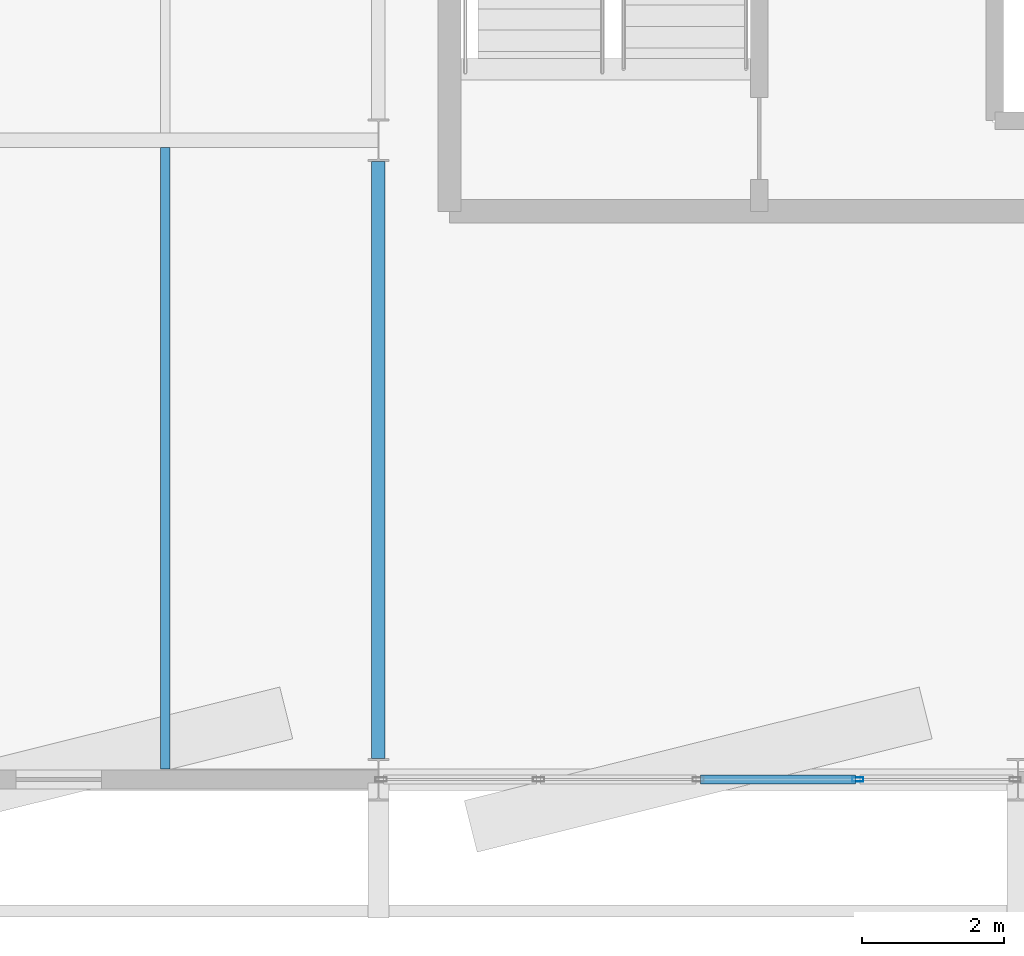
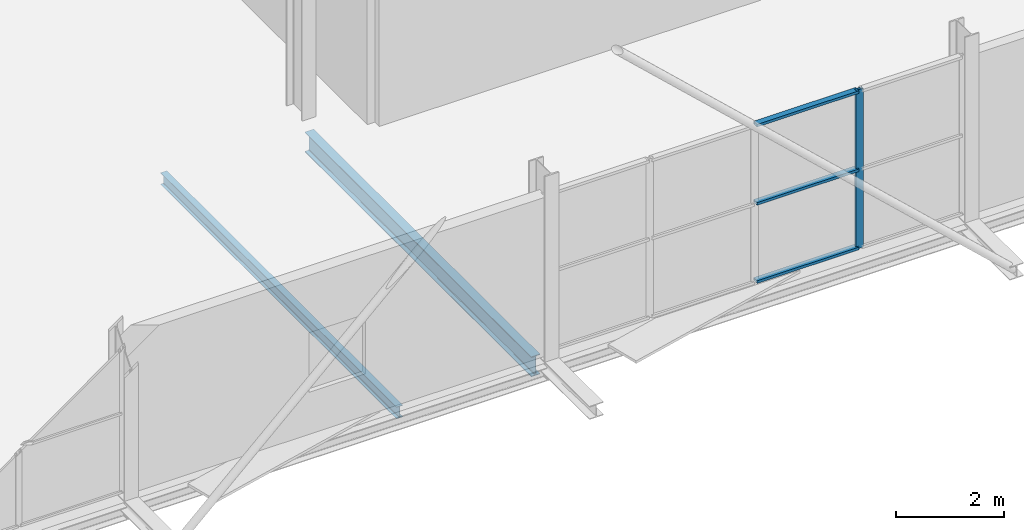
# One storey, part 47 of 103: 4 members, 2 beams, 1 element without a shape of its own.
"""IFC4 building model written with IfcOpenShell, lengths in metres."""

from ifc_helpers import new_model, si_unit, direction, frame, origin, origin_2d, place, context, subcontext, project, spatial, hollow_rectangle, i_section, extrude, material, layer, layer_set, material_profile, profile_set, type_object, element, aggregate, save


model = new_model("IFC4")

# Units and contexts
model_context = context("Model", 3, precision=1e-05, world=origin(), true_north=direction((0.0, 1.0)))
body_context = subcontext(model_context, "Body", "Model", "MODEL_VIEW")
ifc_project = project(units=[si_unit("LENGTHUNIT", "METRE"), si_unit("AREAUNIT", "SQUARE_METRE"), si_unit("VOLUMEUNIT", "CUBIC_METRE"), si_unit("PLANEANGLEUNIT", "RADIAN"), si_unit("MASSUNIT", "GRAM", prefix="KILO")], contexts=[model_context])

# Site, building, storey
site_placement = place(None, origin())
site = spatial("IfcSite", under=ifc_project, at=site_placement, CompositionType="ELEMENT")
building_placement = place(site_placement, origin())
building = spatial("IfcBuilding", under=site, at=building_placement, Name="Deido Ridge Mobility Hub", CompositionType="ELEMENT")
storey_placement = place(building_placement, frame((0.0, 0.0, 12.60009765625)))
storey = spatial("IfcBuildingStorey", under=building, at=storey_placement, Name="L03", CompositionType="ELEMENT", Elevation=12.60009765625)

# Beams
ifc_material_1 = material(Name="Steel S355J2 EN 10025-2", Category="steel")
ifc_material_profile_1 = material_profile(ifc_material_1, i_section(OverallWidth=0.18994140625, OverallDepth=0.449951171875, WebThickness=0.009521484375, FlangeThickness=0.0146484375, FilletRadius=0.02099609375, at=origin_2d()), Name="IPE 450")
ifc_profile_set_1 = profile_set([ifc_material_profile_1], Name="Steel S355J2 EN 10025-2")
beam_type_1 = type_object("IfcBeamType", Name="BM-IPE450", PredefinedType="BEAM", material=ifc_profile_set_1)
beam_1_placement = place(storey_placement, frame((162.0, 0.300048828125, -0.489990234375), z_axis=(0.0, 1.0, 0.0), x_axis=(-1.0, 0.0, 0.0)))
element("IfcBeam", 1, at=beam_1_placement, inside=storey, type_object=beam_type_1, Name="Floor beam B4", PredefinedType="BEAM", context=body_context, shape_type="SweptSolid", body=[
    extrude(i_section(OverallWidth=0.18994140625, OverallDepth=0.449951171875, WebThickness=0.009521484375, FlangeThickness=0.0146484375, FilletRadius=0.02099609375, at=origin_2d()), origin(), (0.0, 0.0, 1.0), 8.39990234375),
])
ifc_material_profile_2 = material_profile(ifc_material_1, i_section(OverallWidth=0.135009765625, OverallDepth=0.27001953125, WebThickness=0.006591796875, FlangeThickness=0.01025390625, FilletRadius=0.014892578125, at=origin_2d()), Name="IPE 270")
ifc_profile_set_2 = profile_set([ifc_material_profile_2], Name="Steel S355J2 EN 10025-2")
beam_type_2 = type_object("IfcBeamType", Name="JST-IPE270", PredefinedType="JOIST", material=ifc_profile_set_2)
beam_2_placement = place(storey_placement, frame((159.0, 0.14990234375, -0.400146484375), z_axis=(0.0, 1.0, 0.0), x_axis=(-1.0, 0.0, 0.0)))
element("IfcBeam", 2, at=beam_2_placement, inside=storey, type_object=beam_type_2, Name="Composite joist J4", PredefinedType="JOIST", context=body_context, shape_type="SweptSolid", body=[
    extrude(i_section(OverallWidth=0.135009765625, OverallDepth=0.27001953125, WebThickness=0.006591796875, FlangeThickness=0.01025390625, FilletRadius=0.014892578125, at=origin_2d()), origin(), (0.0, 0.0, 1.0), 8.75),
])

# Curtain wall, members
ifc_material_2 = material(Name="Anodised aluminium EN AW-6063 T6", Category="aluminium")
ifc_layer = layer(ifc_material_2, 0.195068359375, Name="Anodised aluminium EN AW-6063 T6")
ifc_layer_set = layer_set([ifc_layer], Name="Anodised aluminium EN AW-6063 T6")
curtain_wall_type = type_object("IfcCurtainWallType", Name="CW-UF-3", PredefinedType="USERDEFINED", material=ifc_layer_set)
curtain_wall_placement = place(storey_placement, origin())
curtain_wall = element("IfcCurtainWall", 3, at=curtain_wall_placement, inside=storey, type_object=curtain_wall_type, Name="Unitised curtain wall CW3", ObjectType="UNITISED FACADE", PredefinedType="USERDEFINED")
ifc_material_profile_3 = material_profile(ifc_material_2, hollow_rectangle(XDim=0.06005859375, YDim=0.159912109375, WallThickness=0.00390625, at=origin_2d()), Name="RHS 60x160x4")
ifc_profile_set_3 = profile_set([ifc_material_profile_3], Name="Anodised aluminium EN AW-6063 T6")
member_type_1 = type_object("IfcMemberType", Name="MEM-MUL-60X160", PredefinedType="MULLION", material=ifc_profile_set_3)
member_1_placement = place(storey_placement, frame((168.74609375, 0.0, 0.0), z_axis=(0.0, 0.0, 1.0), x_axis=(0.0, 1.0, 0.0)))
member_1 = element("IfcMember", 4, at=member_1_placement, type_object=member_type_1, Name="CW3 mullion 4", PredefinedType="MULLION", context=body_context, shape_type="SweptSolid", body=[
    extrude(hollow_rectangle(XDim=0.06005859375, YDim=0.159912109375, WallThickness=0.00390625, at=origin_2d()), origin(), (0.0, 0.0, 1.0), 3.599853515625),
])
ifc_material_profile_4 = material_profile(ifc_material_2, hollow_rectangle(XDim=0.125, YDim=0.06005859375, WallThickness=0.00390625, at=origin_2d()), Name="RHS 125x60x4")
ifc_profile_set_4 = profile_set([ifc_material_profile_4], Name="Anodised aluminium EN AW-6063 T6")
member_type_2 = type_object("IfcMemberType", Name="MEM-TRN-125X60", PredefinedType="USERDEFINED", material=ifc_profile_set_4)
member_2_placement = place(storey_placement, frame((166.530029296875, 0.0, 0.02978515625), z_axis=(1.0, 0.0, 0.0), x_axis=(0.0, 1.0, 0.0)))
member_2 = element("IfcMember", 5, at=member_2_placement, type_object=member_type_2, Name="CW3 transom 3.1", ObjectType="TRANSOM", PredefinedType="USERDEFINED", context=body_context, shape_type="SweptSolid", body=[
    extrude(hollow_rectangle(XDim=0.125, YDim=0.06005859375, WallThickness=0.00390625, at=origin_2d()), origin(), (0.0, 0.0, 1.0), 2.18603515625),
])
member_3_placement = place(storey_placement, frame((166.530029296875, 0.0, 1.7998046875), z_axis=(1.0, 0.0, 0.0), x_axis=(0.0, 1.0, 0.0)))
member_3 = element("IfcMember", 6, at=member_3_placement, type_object=member_type_2, Name="CW3 transom 3.2", ObjectType="TRANSOM", PredefinedType="USERDEFINED", context=body_context, shape_type="SweptSolid", body=[
    extrude(hollow_rectangle(XDim=0.125, YDim=0.06005859375, WallThickness=0.00390625, at=origin_2d()), origin(), (0.0, 0.0, 1.0), 2.18603515625),
])
member_4_placement = place(storey_placement, frame((166.530029296875, 0.0, 3.56982421875), z_axis=(1.0, 0.0, 0.0), x_axis=(0.0, 1.0, 0.0)))
member_4 = element("IfcMember", 7, at=member_4_placement, type_object=member_type_2, Name="CW3 transom 3.3", ObjectType="TRANSOM", PredefinedType="USERDEFINED", context=body_context, shape_type="SweptSolid", body=[
    extrude(hollow_rectangle(XDim=0.125, YDim=0.06005859375, WallThickness=0.00390625, at=origin_2d()), origin(), (0.0, 0.0, 1.0), 2.18603515625),
])
aggregate(curtain_wall, [member_1, member_2, member_3, member_4])

save(model, "model.ifc")
